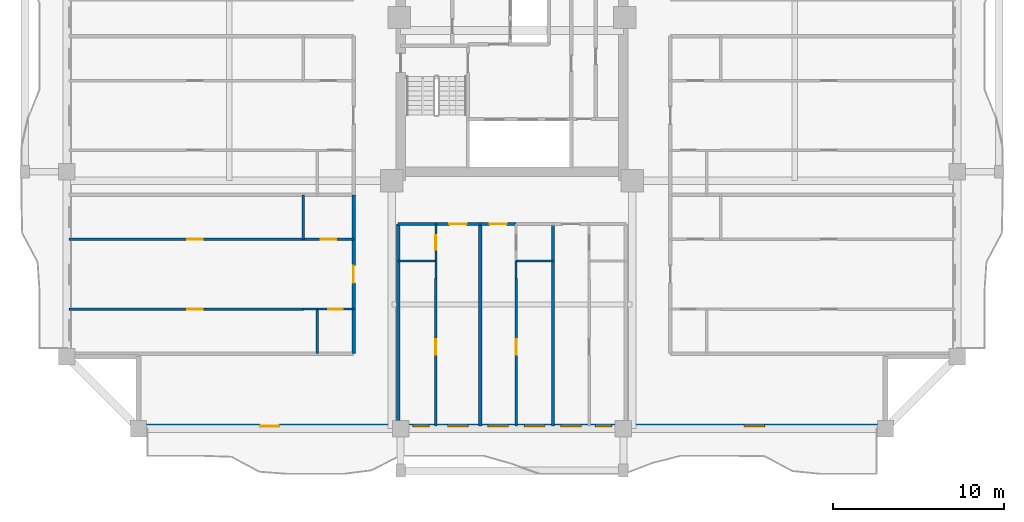
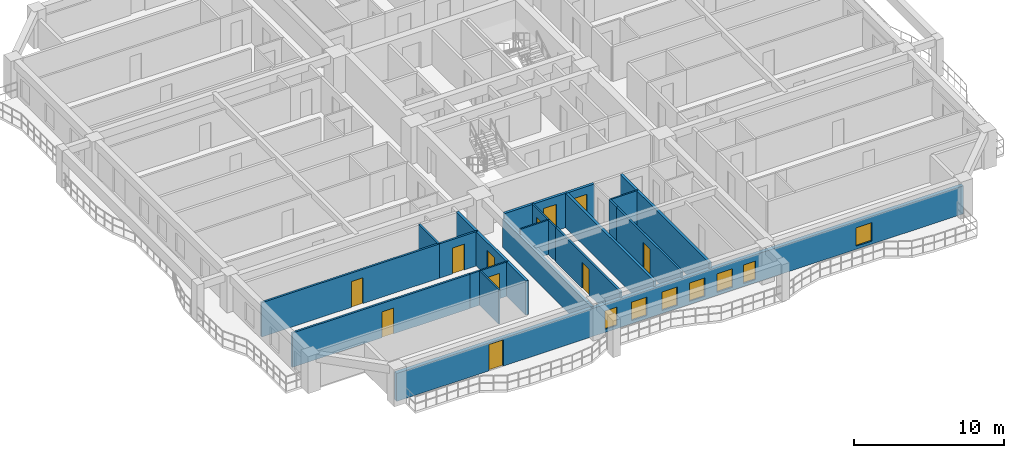
# One storey, part 2 of 13: 24 walls, 11 doors, 7 windows, 18 openings.
"""IFC4 building model written with IfcOpenShell, lengths in metres."""

import ifcopenshell
import ifcopenshell.guid

model = None  # the IFC model being written
_history = None  # IfcOwnerHistory: only IFC2X3 demands one
_inside = {}  # id of a spatial element -> (the spatial element, [elements in it])
_under = {}  # id of a project, library or spatial element -> (it, [spatial elements below it])
_declared = {}  # id of a project -> (the project, [libraries it declares])
_typed = {}  # id of a type object -> (the type object, [elements of that type])
_made_of = {}  # id of a material, layer set ... -> (it, [elements and type objects made of it])


def new_model(schema):
    """Start an empty IFC model of exactly this schema.

    Asked for "IFC4X3", IfcOpenShell would pick the latest addendum, in which some entities
    have other attributes; the version numbers below select the first issue.
    IFC2X3 requires an IfcOwnerHistory on every rooted entity: one is made here for all.
    """
    global model, _history
    if schema == "IFC4X3":
        model = ifcopenshell.file(schema_version=(4, 3, 0, 0))
    else:
        model = ifcopenshell.file(schema=schema)
    _inside.clear()
    _under.clear()
    _declared.clear()
    _typed.clear()
    _made_of.clear()
    _history = None
    if model.schema == "IFC2X3":
        org = make("IfcOrganization", Name="unknown")
        user = make(
            "IfcPersonAndOrganization",
            ThePerson=make("IfcPerson", FamilyName="unknown"),
            TheOrganization=org,
        )
        app = make(
            "IfcApplication",
            ApplicationDeveloper=org,
            Version="unknown",
            ApplicationFullName="unknown",
            ApplicationIdentifier="unknown",
        )
        _history = make(
            "IfcOwnerHistory",
            OwningUser=user,
            OwningApplication=app,
            ChangeAction="ADDED",
            CreationDate=0,
        )
    return model


def make(cls, **values):
    """One entity of the class cls with the attributes given. An attribute that is None is left unset."""
    return model.create_entity(
        cls, **{name: value for name, value in values.items() if value is not None}
    )


def rooted(cls, **values):
    """An entity with a GlobalId (a new one), such as an element, a storey or a relation."""
    return make(cls, GlobalId=ifcopenshell.guid.new(), OwnerHistory=_history, **values)


def si_unit(unit_type, name, prefix=None):
    """IfcSIUnit, for example si_unit("LENGTHUNIT", "METRE", prefix="MILLI")."""
    return make("IfcSIUnit", UnitType=unit_type, Prefix=prefix, Name=name)


def assignment(units):
    """IfcUnitAssignment: the units of a project."""
    return None if units is None else make("IfcUnitAssignment", Units=units)


def point(xyz):
    """IfcCartesianPoint."""
    return None if xyz is None else make("IfcCartesianPoint", Coordinates=xyz)


def direction(xyz):
    """IfcDirection."""
    return None if xyz is None else make("IfcDirection", DirectionRatios=xyz)


def frame(location, z_axis=None, x_axis=None):
    """IfcAxis2Placement3D, a coordinate frame: its origin and axes. An axis left out is left unset."""
    return make(
        "IfcAxis2Placement3D",
        Location=point(location),
        Axis=direction(z_axis),
        RefDirection=direction(x_axis),
    )


def frame_2d(location, x_axis=None):
    """IfcAxis2Placement2D, a coordinate frame in the plane: its origin and x axis."""
    return make(
        "IfcAxis2Placement2D", Location=point(location), RefDirection=direction(x_axis)
    )


def origin():
    """The frame at (0, 0, 0) with its axes left unset."""
    return frame((0.0, 0.0, 0.0))


def place(relative_to, where):
    """IfcLocalPlacement: puts the frame where relative to a parent placement (None: the world)."""
    return make(
        "IfcLocalPlacement", PlacementRelTo=relative_to, RelativePlacement=where
    )


def context(
    kind, dimensions, precision=None, world=None, true_north=None, identifier=None
):
    """IfcGeometricRepresentationContext, for example the 3D "Model" context."""
    return make(
        "IfcGeometricRepresentationContext",
        ContextIdentifier=identifier,
        ContextType=kind,
        CoordinateSpaceDimension=dimensions,
        Precision=precision,
        WorldCoordinateSystem=world,
        TrueNorth=true_north,
    )


def subcontext(parent, identifier, kind, view, scale=None):
    """IfcGeometricRepresentationSubContext, for example "Body" below "Model"."""
    return make(
        "IfcGeometricRepresentationSubContext",
        ContextIdentifier=identifier,
        ContextType=kind,
        ParentContext=parent,
        TargetScale=scale,
        TargetView=view,
    )


def project(units=None, contexts=None):
    """IfcProject with its units and contexts."""
    return rooted(
        "IfcProject",
        Name="project",
        RepresentationContexts=contexts,
        UnitsInContext=assignment(units),
    )


def spatial(cls, under=None, at=None, **own):
    """A site, building, storey or space (cls), placed at a placement, below another one or the project."""
    s = rooted(cls, ObjectPlacement=at, **own)
    if under is not None:
        _under.setdefault(under.id(), (under, []))[1].append(s)
    return s


def profile(cls, at=None, kind="AREA", **sizes):
    """A parametric profile (cls). Its sizes go by their IFC names, for example OverallWidth=200.0."""
    return make(cls, ProfileType=kind, Position=at, **sizes)


def rectangle(**sizes):
    """IfcRectangleProfileDef."""
    return profile("IfcRectangleProfileDef", **sizes)


def extrude(swept, where, along, depth):
    """IfcExtrudedAreaSolid: the profile swept, set in the frame where, extruded along a direction by depth."""
    return make(
        "IfcExtrudedAreaSolid",
        SweptArea=swept,
        Position=where,
        ExtrudedDirection=direction(along),
        Depth=depth,
    )


def shape(context_of_items, identifier, shape_type, items):
    """IfcShapeRepresentation: the items that make up one representation, for example the "Body"."""
    return make(
        "IfcShapeRepresentation",
        ContextOfItems=context_of_items,
        RepresentationIdentifier=identifier,
        RepresentationType=shape_type,
        Items=items,
    )


def source(mapping_origin, context_of_items, identifier, shape_type, items):
    """IfcRepresentationMap: a shape defined once, which mapped items show again and again."""
    return make(
        "IfcRepresentationMap",
        MappingOrigin=mapping_origin,
        MappedRepresentation=shape(context_of_items, identifier, shape_type, items),
    )


def transform(
    local_origin,
    x_axis=None,
    y_axis=None,
    z_axis=None,
    scale=None,
    scale2=None,
    scale3=None,
    uniform=True,
):
    """IfcCartesianTransformationOperator3D, or its non-uniform kind. x_axis, y_axis, z_axis: its Axis1, 2, 3."""
    if uniform:
        return make(
            "IfcCartesianTransformationOperator3D",
            Axis1=direction(x_axis),
            Axis2=direction(y_axis),
            LocalOrigin=point(local_origin),
            Scale=scale,
            Axis3=direction(z_axis),
        )
    return make(
        "IfcCartesianTransformationOperator3DnonUniform",
        Axis1=direction(x_axis),
        Axis2=direction(y_axis),
        LocalOrigin=point(local_origin),
        Scale=scale,
        Axis3=direction(z_axis),
        Scale2=scale2,
        Scale3=scale3,
    )


def mapped(mapping_source, mapping_target):
    """IfcMappedItem: shows the shape of a source again, moved by a transform."""
    return make(
        "IfcMappedItem", MappingSource=mapping_source, MappingTarget=mapping_target
    )


def material(Name=None, Category=None):
    """IfcMaterial."""
    return make("IfcMaterial", Name=Name, Category=Category)


def layer(
    of_material, thickness, ventilated=None, Name=None, Category=None, Priority=None
):
    """IfcMaterialLayer: one layer of a wall or slab, of a material (None: an air gap)."""
    return make(
        "IfcMaterialLayer",
        Material=of_material,
        LayerThickness=thickness,
        IsVentilated=ventilated,
        Name=Name,
        Category=Category,
        Priority=Priority,
    )


def layer_set(layers, Name=None):
    """IfcMaterialLayerSet."""
    return make("IfcMaterialLayerSet", MaterialLayers=layers, LayerSetName=Name)


def made_of(thing, what):
    """Note that an element or type object is made of a material, layer set ...; save() writes the relation."""
    if what is not None:
        _made_of.setdefault(what.id(), (what, []))[1].append(thing)
    return thing


def type_object(cls, material=None, **own):
    """A type object (cls), such as IfcWallType, which elements share."""
    return made_of(rooted(cls, **own), material)


def element(
    cls,
    number,
    at=None,
    inside=None,
    cuts=None,
    type_object=None,
    material=None,
    context=None,
    identifier="Body",
    shape_type=None,
    held_by="IfcProductDefinitionShape",
    body=None,
    shapes=None,
    **own,
):
    """One element of the class cls, such as IfcWall. Its Tag is "e" and its number.

    at: its placement. inside: the storey or other place that contains it. cuts: it is an
    opening in that element (IfcRelVoidsElement). A single representation is given by context,
    identifier, shape_type and body (its items); several are given by shapes. held_by: the class
    of the entity that holds the representations. save() writes the other relations.
    """
    e = rooted(cls, Tag="e%d" % number, ObjectPlacement=at, **own)
    if body is not None:
        shapes = [shape(context, identifier, shape_type, body)]
    if shapes is not None:
        e.Representation = make(held_by, Representations=shapes)
    if inside is not None:
        _inside.setdefault(inside.id(), (inside, []))[1].append(e)
    if cuts is not None:
        rooted(
            "IfcRelVoidsElement", RelatingBuildingElement=cuts, RelatedOpeningElement=e
        )
    if type_object is not None:
        _typed.setdefault(type_object.id(), (type_object, []))[1].append(e)
    return made_of(e, material)


def fill(opening, filler):
    """IfcRelFillsElement: the door or window that sits in an opening."""
    return rooted(
        "IfcRelFillsElement",
        RelatingOpeningElement=opening,
        RelatedBuildingElement=filler,
    )


def aggregate(whole, parts):
    """IfcRelAggregates: a whole, such as a stair, and the parts it consists of."""
    return rooted("IfcRelAggregates", RelatingObject=whole, RelatedObjects=parts)


def save(model, path):
    """Write the relations noted so far, then the file.

    IfcRelAggregates (storeys below a building ...), IfcRelContainedInSpatialStructure (elements
    in a storey), IfcRelDefinesByType, IfcRelAssociatesMaterial and IfcRelDeclares: one each for
    every whole, place, type object, material and project.
    """
    for whole, parts in _under.values():
        aggregate(whole, parts)
    for where, things in _inside.values():
        rooted(
            "IfcRelContainedInSpatialStructure",
            RelatedElements=things,
            RelatingStructure=where,
        )
    for kind, things in _typed.values():
        rooted("IfcRelDefinesByType", RelatedObjects=things, RelatingType=kind)
    for what, things in _made_of.values():
        rooted("IfcRelAssociatesMaterial", RelatedObjects=things, RelatingMaterial=what)
    for by, libraries in _declared.values():
        rooted("IfcRelDeclares", RelatingContext=by, RelatedDefinitions=libraries)
    model.write(path)


model = new_model("IFC4")

# Units and contexts
model_context = context("Model", 3, precision=1e-05, world=origin(), true_north=direction((0.0, 1.0)))
body_context = subcontext(model_context, "Body", "Model", "MODEL_VIEW")
ifc_project = project(units=[si_unit("LENGTHUNIT", "METRE"), si_unit("AREAUNIT", "SQUARE_METRE"), si_unit("VOLUMEUNIT", "CUBIC_METRE"), si_unit("PLANEANGLEUNIT", "RADIAN"), si_unit("MASSUNIT", "GRAM", prefix="KILO")], contexts=[model_context])

# Site, building, storey
site_placement = place(None, origin())
site = spatial("IfcSite", under=ifc_project, at=site_placement, CompositionType="ELEMENT")
building_placement = place(site_placement, origin())
building = spatial("IfcBuilding", under=site, at=building_placement, Name="Saelheon Loggia Tower", CompositionType="ELEMENT")
storey_placement = place(building_placement, frame((0.0, 0.0, 104.85009765625)))
storey = spatial("IfcBuildingStorey", under=building, at=storey_placement, Name="L33", CompositionType="ELEMENT", Elevation=104.85009765625)

# Wall, openings, windows, door
ifc_material_1 = material(Name="Architectural Precast Concrete C40/50", Category="concrete")
ifc_layer_1 = layer(ifc_material_1, 0.280029296875)
ifc_layer_set_1 = layer_set([ifc_layer_1], Name="Architectural Precast Concrete C40/50")
wall_type_1 = type_object("IfcWallType", Name="Wall_Ext_Loggia_280", PredefinedType="SOLIDWALL", material=ifc_layer_set_1)
wall_1_placement = place(storey_placement, frame((16.199951171875, 3.139892578125, 0.0), z_axis=(0.0, 0.0, 1.0), x_axis=(1.0, 0.0, 0.0)))
wall_1 = element("IfcWall", 1, at=wall_1_placement, inside=storey, type_object=wall_type_1, Name="L33 South Loggia Inner Wall", PredefinedType="SOLIDWALL", context=body_context, shape_type="SweptSolid", body=[
    extrude(rectangle(XDim=43.60009765625, YDim=0.280029296875, at=frame_2d((21.800048828125, 0.0))), origin(), (0.0, 0.0, 1.0), 2.27978515625),
])
opening_1_placement = place(wall_1_placement, frame((8.2001953125, 0.0, 0.0), z_axis=(0.0, 0.0, 1.0), x_axis=(-1.0, 0.0, 0.0)))
opening_1 = element("IfcOpeningElement", 2, at=opening_1_placement, cuts=wall_1, Name="Opening TD1", PredefinedType="OPENING", context=body_context, shape_type="SweptSolid", body=[
    extrude(rectangle(XDim=1.10009765625, YDim=2.14990234375, at=frame_2d((0.550048828125, 1.074951171875))), frame((0.0, 0.152099609375, 0.0), z_axis=(0.0, -1.0, 0.0), x_axis=(1.0, 0.0, 0.0)), (0.0, 0.0, 1.0), 0.303955078125),
])
opening_2_placement = place(wall_1_placement, frame((16.0087890625, 0.0, 0.25)))
opening_2 = element("IfcOpeningElement", 3, at=opening_2_placement, cuts=wall_1, Name="Opening WN-04", PredefinedType="OPENING", context=body_context, shape_type="SweptSolid", body=[
    extrude(rectangle(XDim=0.949951171875, YDim=1.5, at=frame_2d((0.47509765625, 0.75))), frame((0.0, 0.152099609375, 0.0), z_axis=(0.0, -1.0, 0.0), x_axis=(1.0, 0.0, 0.0)), (0.0, 0.0, 1.0), 0.303955078125),
])
opening_3_placement = place(wall_1_placement, frame((18.045166015625, 0.0, 0.25)))
opening_3 = element("IfcOpeningElement", 4, at=opening_3_placement, cuts=wall_1, Name="Opening WN-03", PredefinedType="OPENING", context=body_context, shape_type="SweptSolid", body=[
    extrude(rectangle(XDim=1.199951171875, YDim=1.5, at=frame_2d((0.60009765625, 0.75))), frame((0.0, 0.152099609375, 0.0), z_axis=(0.0, -1.0, 0.0), x_axis=(1.0, 0.0, 0.0)), (0.0, 0.0, 1.0), 0.303955078125),
])
opening_4_placement = place(wall_1_placement, frame((20.39111328125, 0.0, 0.25)))
opening_4 = element("IfcOpeningElement", 5, at=opening_4_placement, cuts=wall_1, Name="Opening WN-03", PredefinedType="OPENING", context=body_context, shape_type="SweptSolid", body=[
    extrude(rectangle(XDim=1.199951171875, YDim=1.5, at=frame_2d((0.60009765625, 0.75))), frame((0.0, 0.152099609375, 0.0), z_axis=(0.0, -1.0, 0.0), x_axis=(1.0, 0.0, 0.0)), (0.0, 0.0, 1.0), 0.303955078125),
])
opening_5_placement = place(wall_1_placement, frame((22.51904296875, 0.0, 0.25)))
opening_5 = element("IfcOpeningElement", 6, at=opening_5_placement, cuts=wall_1, Name="Opening WN-03", PredefinedType="OPENING", context=body_context, shape_type="SweptSolid", body=[
    extrude(rectangle(XDim=1.199951171875, YDim=1.5, at=frame_2d((0.60009765625, 0.75))), frame((0.0, 0.152099609375, 0.0), z_axis=(0.0, -1.0, 0.0), x_axis=(1.0, 0.0, 0.0)), (0.0, 0.0, 1.0), 0.303955078125),
])
opening_6_placement = place(wall_1_placement, frame((24.64697265625, 0.0, 0.25)))
opening_6 = element("IfcOpeningElement", 7, at=opening_6_placement, cuts=wall_1, Name="Opening WN-03", PredefinedType="OPENING", context=body_context, shape_type="SweptSolid", body=[
    extrude(rectangle(XDim=1.199951171875, YDim=1.5, at=frame_2d((0.60009765625, 0.75))), frame((0.0, 0.152099609375, 0.0), z_axis=(0.0, -1.0, 0.0), x_axis=(1.0, 0.0, 0.0)), (0.0, 0.0, 1.0), 0.303955078125),
])
opening_7_placement = place(wall_1_placement, frame((26.66748046875, 0.0, 0.25)))
opening_7 = element("IfcOpeningElement", 8, at=opening_7_placement, cuts=wall_1, Name="Opening WN-04", PredefinedType="OPENING", context=body_context, shape_type="SweptSolid", body=[
    extrude(rectangle(XDim=0.949951171875, YDim=1.5, at=frame_2d((0.47509765625, 0.75))), frame((0.0, 0.152099609375, 0.0), z_axis=(0.0, -1.0, 0.0), x_axis=(1.0, 0.0, 0.0)), (0.0, 0.0, 1.0), 0.303955078125),
])
opening_8_placement = place(wall_1_placement, frame((35.35009765625, 0.0, 0.25)))
opening_8 = element("IfcOpeningElement", 9, at=opening_8_placement, cuts=wall_1, Name="Opening WN-03", PredefinedType="OPENING", context=body_context, shape_type="SweptSolid", body=[
    extrude(rectangle(XDim=1.199951171875, YDim=1.5, at=frame_2d((0.60009765625, 0.75))), frame((0.0, 0.152099609375, 0.0), z_axis=(0.0, -1.0, 0.0), x_axis=(1.0, 0.0, 0.0)), (0.0, 0.0, 1.0), 0.303955078125),
])
ifc_material_2 = material(Name="Thermal-Break Aluminium and Triple Low-E Glass", Category="aluminium")
window_type_1 = type_object("IfcWindowType", Name="Win_Bedroom_1200x1500", PartitioningType="SINGLE_PANEL", PredefinedType="WINDOW", material=ifc_material_2)
shared_shape_1 = source(origin(), body_context, "Body", "SweptSolid", [
    extrude(rectangle(XDim=1.199951171875, YDim=1.5, at=frame_2d((0.60009765625, 0.75))), frame((0.0, 0.030029296875, 0.0), z_axis=(0.0, -1.0, 0.0), x_axis=(1.0, 0.0, 0.0)), (0.0, 0.0, 1.0), 0.06005859375),
])
window_1_placement = place(opening_3_placement, origin())
window_1 = element("IfcWindow", 10, at=window_1_placement, inside=storey, type_object=window_type_1, Name="L33 S Dwelling Window 3", OverallHeight=1.5, OverallWidth=1.199951171875, PartitioningType="SINGLE_PANEL", PredefinedType="WINDOW", context=body_context, shape_type="MappedRepresentation", body=[
    mapped(shared_shape_1, transform((0.0, 0.0, 0.0), scale=1.0)),
])
fill(opening_3, window_1)
window_2_placement = place(opening_4_placement, origin())
window_2 = element("IfcWindow", 11, at=window_2_placement, inside=storey, type_object=window_type_1, Name="L33 S Dwelling Window 4", OverallHeight=1.5, OverallWidth=1.199951171875, PartitioningType="SINGLE_PANEL", PredefinedType="WINDOW", context=body_context, shape_type="MappedRepresentation", body=[
    mapped(shared_shape_1, transform((0.0, 0.0, 0.0), scale=1.0)),
])
fill(opening_4, window_2)
window_3_placement = place(opening_5_placement, origin())
window_3 = element("IfcWindow", 12, at=window_3_placement, inside=storey, type_object=window_type_1, Name="L33 S Dwelling Window 5", OverallHeight=1.5, OverallWidth=1.199951171875, PartitioningType="SINGLE_PANEL", PredefinedType="WINDOW", context=body_context, shape_type="MappedRepresentation", body=[
    mapped(shared_shape_1, transform((0.0, 0.0, 0.0), scale=1.0)),
])
fill(opening_5, window_3)
window_4_placement = place(opening_6_placement, origin())
window_4 = element("IfcWindow", 13, at=window_4_placement, inside=storey, type_object=window_type_1, Name="L33 S Dwelling Window 6", OverallHeight=1.5, OverallWidth=1.199951171875, PartitioningType="SINGLE_PANEL", PredefinedType="WINDOW", context=body_context, shape_type="MappedRepresentation", body=[
    mapped(shared_shape_1, transform((0.0, 0.0, 0.0), scale=1.0)),
])
fill(opening_6, window_4)
window_5_placement = place(opening_8_placement, origin())
window_5 = element("IfcWindow", 14, at=window_5_placement, inside=storey, type_object=window_type_1, Name="L33 S Dwelling Window 8", OverallHeight=1.5, OverallWidth=1.199951171875, PartitioningType="SINGLE_PANEL", PredefinedType="WINDOW", context=body_context, shape_type="MappedRepresentation", body=[
    mapped(shared_shape_1, transform((0.0, 0.0, 0.0), scale=1.0)),
])
fill(opening_8, window_5)
ifc_material_3 = material(Name="Thermal-Break Aluminium Glazed Door", Category="aluminium")
door_type_1 = type_object("IfcDoorType", Name="Door_Terrace_TD1", OperationType="NOTDEFINED", PredefinedType="DOOR", material=ifc_material_3)
shared_shape_2 = source(origin(), body_context, "Body", "SweptSolid", [
    extrude(rectangle(XDim=1.10009765625, YDim=2.14990234375, at=frame_2d((0.550048828125, 1.074951171875))), frame((0.0, 0.02490234375, 0.0), z_axis=(0.0, -1.0, 0.0), x_axis=(1.0, 0.0, 0.0)), (0.0, 0.0, 1.0), 0.050048828125),
])
door_1_placement = place(opening_1_placement, origin())
door_1 = element("IfcDoor", 15, at=door_1_placement, inside=storey, type_object=door_type_1, Name="L33 S Loggia Access Door", OperationType="SINGLE_SWING_LEFT", OverallHeight=2.14990234375, OverallWidth=1.10009765625, PredefinedType="DOOR", context=body_context, shape_type="MappedRepresentation", body=[
    mapped(shared_shape_2, transform((0.0, 0.0, 0.0), scale=1.0)),
])
fill(opening_1, door_1)
window_type_2 = type_object("IfcWindowType", Name="Win_Narrow_950x1500", PartitioningType="SINGLE_PANEL", PredefinedType="WINDOW", material=ifc_material_2)
shared_shape_3 = source(origin(), body_context, "Body", "SweptSolid", [
    extrude(rectangle(XDim=0.949951171875, YDim=1.5, at=frame_2d((0.47509765625, 0.75))), frame((0.0, 0.030029296875, 0.0), z_axis=(0.0, -1.0, 0.0), x_axis=(1.0, 0.0, 0.0)), (0.0, 0.0, 1.0), 0.06005859375),
])
window_6_placement = place(opening_2_placement, origin())
window_6 = element("IfcWindow", 16, at=window_6_placement, inside=storey, type_object=window_type_2, Name="L33 S Dwelling Window 2", OverallHeight=1.5, OverallWidth=0.949951171875, PartitioningType="SINGLE_PANEL", PredefinedType="WINDOW", context=body_context, shape_type="MappedRepresentation", body=[
    mapped(shared_shape_3, transform((0.0, 0.0, 0.0), scale=1.0)),
])
fill(opening_2, window_6)
window_7_placement = place(opening_7_placement, origin())
window_7 = element("IfcWindow", 17, at=window_7_placement, inside=storey, type_object=window_type_2, Name="L33 S Dwelling Window 7", OverallHeight=1.5, OverallWidth=0.949951171875, PartitioningType="SINGLE_PANEL", PredefinedType="WINDOW", context=body_context, shape_type="MappedRepresentation", body=[
    mapped(shared_shape_3, transform((0.0, 0.0, 0.0), scale=1.0)),
])
fill(opening_7, window_7)

# Wall, opening, door
ifc_material_4 = material(Name="Lightweight Autoclaved Aerated Concrete Block and Acoustic Gypsum", Category="concrete")
ifc_layer_2 = layer(ifc_material_4, 0.14990234375)
ifc_layer_set_2 = layer_set([ifc_layer_2], Name="Lightweight Autoclaved Aerated Concrete Block and Acoustic Gypsum")
wall_type_2 = type_object("IfcWallType", Name="Wall_Part_150", PredefinedType="PARTITIONING", material=ifc_layer_set_2)
wall_2_placement = place(storey_placement, frame((33.552490234375, 11.780029296875, 0.0), z_axis=(0.0, 0.0, 1.0), x_axis=(0.0, -1.0, 0.0)))
wall_2 = element("IfcWall", 18, at=wall_2_placement, inside=storey, type_object=wall_type_2, Name="L33 S Partition U08", PredefinedType="PARTITIONING", context=body_context, shape_type="SweptSolid", body=[
    extrude(rectangle(XDim=8.630126953125, YDim=0.14990234375, at=frame_2d((4.31494140625, 0.0))), origin(), (0.0, 0.0, 1.0), 2.789794921875),
])
opening_9_placement = place(wall_2_placement, frame((3.56298828125, 0.0, 0.0)))
opening_9 = element("IfcOpeningElement", 19, at=opening_9_placement, cuts=wall_2, Name="Opening D-IN2", PredefinedType="OPENING", context=body_context, shape_type="SweptSolid", body=[
    extrude(rectangle(XDim=0.89990234375, YDim=2.10009765625, at=frame_2d((0.449951171875, 1.050048828125))), frame((0.0, 0.0869140625, 0.0), z_axis=(0.0, -1.0, 0.0), x_axis=(1.0, 0.0, 0.0)), (0.0, 0.0, 1.0), 0.173828125),
])
ifc_material_5 = material(Name="Engineered Oak Flush Door", Category="timber")
door_type_2 = type_object("IfcDoorType", Name="Door_Int_900", OperationType="NOTDEFINED", PredefinedType="DOOR", material=ifc_material_5)
shared_shape_4 = source(origin(), body_context, "Body", "SweptSolid", [
    extrude(rectangle(XDim=0.89990234375, YDim=2.10009765625, at=frame_2d((0.449951171875, 1.050048828125))), frame((0.0, 0.02490234375, 0.0), z_axis=(0.0, -1.0, 0.0), x_axis=(1.0, 0.0, 0.0)), (0.0, 0.0, 1.0), 0.050048828125),
])
door_2_placement = place(opening_9_placement, origin())
door_2 = element("IfcDoor", 20, at=door_2_placement, inside=storey, type_object=door_type_2, Name="Unit U01 Kitchen Door", OperationType="SINGLE_SWING_RIGHT", OverallHeight=2.10009765625, OverallWidth=0.89990234375, PredefinedType="DOOR", context=body_context, shape_type="MappedRepresentation", body=[
    mapped(shared_shape_4, transform((0.0, 0.0, 0.0), scale=1.0)),
])
fill(opening_9, door_2)

wall_3_placement = place(storey_placement, frame((38.243896484375, 11.780029296875, 0.0), z_axis=(0.0, 0.0, 1.0), x_axis=(0.0, -1.0, 0.0)))
wall_3 = element("IfcWall", 21, at=wall_3_placement, inside=storey, type_object=wall_type_2, Name="L33 S Partition U15", PredefinedType="PARTITIONING", context=body_context, shape_type="SweptSolid", body=[
    extrude(rectangle(XDim=8.630126953125, YDim=0.14990234375, at=frame_2d((4.31494140625, 0.0))), origin(), (0.0, 0.0, 1.0), 2.789794921875),
])
opening_10_placement = place(wall_3_placement, frame((3.56298828125, 0.0, 0.0)))
opening_10 = element("IfcOpeningElement", 22, at=opening_10_placement, cuts=wall_3, Name="Opening D-IN2", PredefinedType="OPENING", context=body_context, shape_type="SweptSolid", body=[
    extrude(rectangle(XDim=0.89990234375, YDim=2.10009765625, at=frame_2d((0.449951171875, 1.050048828125))), frame((0.0, 0.0869140625, 0.0), z_axis=(0.0, -1.0, 0.0), x_axis=(1.0, 0.0, 0.0)), (0.0, 0.0, 1.0), 0.173828125),
])
door_3_placement = place(opening_10_placement, origin())
door_3 = element("IfcDoor", 23, at=door_3_placement, inside=storey, type_object=door_type_2, Name="Unit U02 Kitchen Door", OperationType="SINGLE_SWING_LEFT", OverallHeight=2.10009765625, OverallWidth=0.89990234375, PredefinedType="DOOR", context=body_context, shape_type="MappedRepresentation", body=[
    mapped(shared_shape_4, transform((0.0, 0.0, 0.0), scale=1.0)),
])
fill(opening_10, door_3)

# Wall
wall_4_placement = place(storey_placement, frame((25.820068359375, 14.050048828125, 0.0), z_axis=(0.0, 0.0, 1.0), x_axis=(0.0, 1.0, 0.0)))
element("IfcWall", 24, at=wall_4_placement, inside=storey, type_object=wall_type_2, Name="L33 WS Partition V07", PredefinedType="PARTITIONING", context=body_context, shape_type="SweptSolid", body=[
    extrude(rectangle(XDim=2.599853515625, YDim=0.14990234375, at=frame_2d((1.2998046875, 0.0))), origin(), (0.0, 0.0, 1.0), 2.789794921875),
])

# Wall, opening, door
wall_5_placement = place(storey_placement, frame((25.820068359375, 9.9755859375, 0.0), z_axis=(0.0, 0.0, 1.0), x_axis=(-1.0, 0.0, 0.0)))
wall_5 = element("IfcWall", 25, at=wall_5_placement, inside=storey, type_object=wall_type_2, Name="L33 WS Partition U10", PredefinedType="PARTITIONING", context=body_context, shape_type="SweptSolid", body=[
    extrude(rectangle(XDim=13.670166015625, YDim=0.14990234375, at=frame_2d((6.8349609375, 0.0))), origin(), (0.0, 0.0, 1.0), 2.789794921875),
])
opening_11_placement = place(wall_5_placement, frame((5.872802734375, 0.0, 0.0)))
opening_11 = element("IfcOpeningElement", 26, at=opening_11_placement, cuts=wall_5, Name="Opening D-IN2", PredefinedType="OPENING", context=body_context, shape_type="SweptSolid", body=[
    extrude(rectangle(XDim=0.89990234375, YDim=2.10009765625, at=frame_2d((0.449951171875, 1.050048828125))), frame((0.0, 0.0869140625, 0.0), z_axis=(0.0, -1.0, 0.0), x_axis=(1.0, 0.0, 0.0)), (0.0, 0.0, 1.0), 0.173828125),
])
door_4_placement = place(opening_11_placement, origin())
door_4 = element("IfcDoor", 27, at=door_4_placement, inside=storey, type_object=door_type_2, Name="Unit U06 Kitchen Door", OperationType="SINGLE_SWING_RIGHT", OverallHeight=2.10009765625, OverallWidth=0.89990234375, PredefinedType="DOOR", context=body_context, shape_type="MappedRepresentation", body=[
    mapped(shared_shape_4, transform((0.0, 0.0, 0.0), scale=1.0)),
])
fill(opening_11, door_4)

wall_6_placement = place(storey_placement, frame((28.75, 14.050048828125, 0.0), z_axis=(0.0, 0.0, 1.0), x_axis=(-1.0, 0.0, 0.0)))
wall_6 = element("IfcWall", 28, at=wall_6_placement, inside=storey, type_object=wall_type_2, Name="L33 WS Partition U11", PredefinedType="PARTITIONING", context=body_context, shape_type="SweptSolid", body=[
    extrude(rectangle(XDim=2.929931640625, YDim=0.14990234375, at=frame_2d((1.46484375, 0.0))), origin(), (0.0, 0.0, 1.0), 2.789794921875),
])
opening_12_placement = place(wall_6_placement, frame((1.014892578125, 0.0, 0.0)))
opening_12 = element("IfcOpeningElement", 29, at=opening_12_placement, cuts=wall_6, Name="Opening D-IN2", PredefinedType="OPENING", context=body_context, shape_type="SweptSolid", body=[
    extrude(rectangle(XDim=0.89990234375, YDim=2.10009765625, at=frame_2d((0.449951171875, 1.050048828125))), frame((0.0, 0.0869140625, 0.0), z_axis=(0.0, -1.0, 0.0), x_axis=(1.0, 0.0, 0.0)), (0.0, 0.0, 1.0), 0.173828125),
])
door_5_placement = place(opening_12_placement, origin())
door_5 = element("IfcDoor", 30, at=door_5_placement, inside=storey, type_object=door_type_2, Name="Unit U06 Dressing Closet Door", OperationType="SINGLE_SWING_LEFT", OverallHeight=2.10009765625, OverallWidth=0.89990234375, PredefinedType="DOOR", context=body_context, shape_type="MappedRepresentation", body=[
    mapped(shared_shape_4, transform((0.0, 0.0, 0.0), scale=1.0)),
])
fill(opening_12, door_5)

wall_7_placement = place(storey_placement, frame((25.820068359375, 14.050048828125, 0.0), z_axis=(0.0, 0.0, 1.0), x_axis=(-1.0, 0.0, 0.0)))
wall_7 = element("IfcWall", 31, at=wall_7_placement, inside=storey, type_object=wall_type_2, Name="L33 WS Partition U12", PredefinedType="PARTITIONING", context=body_context, shape_type="SweptSolid", body=[
    extrude(rectangle(XDim=13.670166015625, YDim=0.14990234375, at=frame_2d((6.8349609375, 0.0))), origin(), (0.0, 0.0, 1.0), 2.789794921875),
])
opening_13_placement = place(wall_7_placement, frame((5.872802734375, 0.0, 0.0)))
opening_13 = element("IfcOpeningElement", 32, at=opening_13_placement, cuts=wall_7, Name="Opening D-IN2", PredefinedType="OPENING", context=body_context, shape_type="SweptSolid", body=[
    extrude(rectangle(XDim=0.89990234375, YDim=2.10009765625, at=frame_2d((0.449951171875, 1.050048828125))), frame((0.0, 0.0869140625, 0.0), z_axis=(0.0, -1.0, 0.0), x_axis=(1.0, 0.0, 0.0)), (0.0, 0.0, 1.0), 0.173828125),
])
door_6_placement = place(opening_13_placement, origin())
door_6 = element("IfcDoor", 33, at=door_6_placement, inside=storey, type_object=door_type_2, Name="Unit U06 Bedroom 1 Door", OperationType="SINGLE_SWING_RIGHT", OverallHeight=2.10009765625, OverallWidth=0.89990234375, PredefinedType="DOOR", context=body_context, shape_type="MappedRepresentation", body=[
    mapped(shared_shape_4, transform((0.0, 0.0, 0.0), scale=1.0)),
])
fill(opening_13, door_6)

# Walls
ifc_material_6 = material(Name="Double Acoustic Stud and Fireboard Partition", Category="gypsum")
ifc_layer_3 = layer(ifc_material_6, 0.199951171875)
ifc_layer_set_3 = layer_set([ifc_layer_3], Name="Double Acoustic Stud and Fireboard Partition")
wall_type_3 = type_object("IfcWallType", Name="Wall_Party_200", PredefinedType="PARTITIONING", material=ifc_layer_set_3)
wall_8_placement = place(storey_placement, frame((31.35009765625, 14.949951171875, 0.0), z_axis=(0.0, 0.0, 1.0), x_axis=(0.0, -1.0, 0.0)))
element("IfcWall", 34, at=wall_8_placement, inside=storey, type_object=wall_type_3, Name="L33 S Partition U01", PredefinedType="PARTITIONING", context=body_context, shape_type="SweptSolid", body=[
    extrude(rectangle(XDim=11.800048828125, YDim=0.199951171875, at=frame_2d((5.89990234375, 0.0))), origin(), (0.0, 0.0, 1.0), 2.33984375),
])
wall_9_placement = place(storey_placement, frame((31.35009765625, 14.949951171875, 0.0), z_axis=(0.0, 0.0, 1.0), x_axis=(1.0, 0.0, 0.0)))
element("IfcWall", 35, at=wall_9_placement, inside=storey, type_object=wall_type_3, Name="L33 S Partition V03", PredefinedType="PARTITIONING", context=body_context, shape_type="SweptSolid", body=[
    extrude(rectangle(XDim=2.202392578125, YDim=0.199951171875, at=frame_2d((1.10107421875, 0.0))), origin(), (0.0, 0.0, 1.0), 2.789794921875),
])

# Wall, opening, door
wall_10_placement = place(storey_placement, frame((33.552490234375, 14.949951171875, 0.0), z_axis=(0.0, 0.0, 1.0), x_axis=(1.0, 0.0, 0.0)))
wall_10 = element("IfcWall", 36, at=wall_10_placement, inside=storey, type_object=wall_type_3, Name="L33 S Partition V04", PredefinedType="PARTITIONING", context=body_context, shape_type="SweptSolid", body=[
    extrude(rectangle(XDim=2.58544921875, YDim=0.199951171875, at=frame_2d((1.292724609375, 0.0))), origin(), (0.0, 0.0, 1.0), 2.789794921875),
])
opening_14_placement = place(wall_10_placement, frame((0.792724609375, 0.0, 0.0)))
opening_14 = element("IfcOpeningElement", 37, at=opening_14_placement, cuts=wall_10, Name="Opening D-FD1", PredefinedType="OPENING", context=body_context, shape_type="SweptSolid", body=[
    extrude(rectangle(XDim=1.0, YDim=2.14990234375, at=frame_2d((0.5, 1.074951171875))), frame((0.0, 0.112060546875, 0.0), z_axis=(0.0, -1.0, 0.0), x_axis=(1.0, 0.0, 0.0)), (0.0, 0.0, 1.0), 0.223876953125),
])
ifc_material_7 = material(Name="Fire-Rated Engineered Timber Entrance Door", Category="wood")
door_type_3 = type_object("IfcDoorType", Name="Door_Flat_FD30S", OperationType="NOTDEFINED", PredefinedType="DOOR", material=ifc_material_7)
shared_shape_5 = source(origin(), body_context, "Body", "SweptSolid", [
    extrude(rectangle(XDim=1.0, YDim=2.14990234375, at=frame_2d((0.5, 1.074951171875))), frame((0.0, 0.02490234375, 0.0), z_axis=(0.0, -1.0, 0.0), x_axis=(1.0, 0.0, 0.0)), (0.0, 0.0, 1.0), 0.050048828125),
])
door_7_placement = place(opening_14_placement, origin())
door_7 = element("IfcDoor", 38, at=door_7_placement, inside=storey, type_object=door_type_3, Name="Unit U01 Entrance Door", OperationType="SINGLE_SWING_RIGHT", OverallHeight=2.14990234375, OverallWidth=1.0, PredefinedType="DOOR", context=body_context, shape_type="MappedRepresentation", body=[
    mapped(shared_shape_5, transform((0.0, 0.0, 0.0), scale=1.0)),
])
fill(opening_14, door_7)

# Wall
wall_11_placement = place(storey_placement, frame((36.137939453125, 14.949951171875, 0.0), z_axis=(0.0, 0.0, 1.0), x_axis=(0.0, -1.0, 0.0)))
element("IfcWall", 39, at=wall_11_placement, inside=storey, type_object=wall_type_3, Name="L33 S Partition U09", PredefinedType="PARTITIONING", context=body_context, shape_type="SweptSolid", body=[
    extrude(rectangle(XDim=11.800048828125, YDim=0.199951171875, at=frame_2d((5.89990234375, 0.0))), origin(), (0.0, 0.0, 1.0), 2.789794921875),
])

# Wall, opening, door
wall_12_placement = place(storey_placement, frame((36.137939453125, 14.949951171875, 0.0), z_axis=(0.0, 0.0, 1.0), x_axis=(1.0, 0.0, 0.0)))
wall_12 = element("IfcWall", 40, at=wall_12_placement, inside=storey, type_object=wall_type_3, Name="L33 S Partition V10", PredefinedType="PARTITIONING", context=body_context, shape_type="SweptSolid", body=[
    extrude(rectangle(XDim=2.10595703125, YDim=0.199951171875, at=frame_2d((1.052978515625, 0.0))), origin(), (0.0, 0.0, 1.0), 2.789794921875),
])
opening_15_placement = place(wall_12_placement, frame((0.552978515625, 0.0, 0.0)))
opening_15 = element("IfcOpeningElement", 41, at=opening_15_placement, cuts=wall_12, Name="Opening D-FD1", PredefinedType="OPENING", context=body_context, shape_type="SweptSolid", body=[
    extrude(rectangle(XDim=1.0, YDim=2.14990234375, at=frame_2d((0.5, 1.074951171875))), frame((0.0, 0.112060546875, 0.0), z_axis=(0.0, -1.0, 0.0), x_axis=(1.0, 0.0, 0.0)), (0.0, 0.0, 1.0), 0.223876953125),
])
door_8_placement = place(opening_15_placement, origin())
door_8 = element("IfcDoor", 42, at=door_8_placement, inside=storey, type_object=door_type_3, Name="Unit U02 Entrance Door", OperationType="SINGLE_SWING_LEFT", OverallHeight=2.14990234375, OverallWidth=1.0, PredefinedType="DOOR", context=body_context, shape_type="MappedRepresentation", body=[
    mapped(shared_shape_5, transform((0.0, 0.0, 0.0), scale=1.0)),
])
fill(opening_15, door_8)

# Walls
wall_13_placement = place(storey_placement, frame((40.39404296875, 14.949951171875, 0.0), z_axis=(0.0, 0.0, 1.0), x_axis=(0.0, -1.0, 0.0)))
element("IfcWall", 43, at=wall_13_placement, inside=storey, type_object=wall_type_3, Name="L33 S Partition U16", PredefinedType="PARTITIONING", context=body_context, shape_type="SweptSolid", body=[
    extrude(rectangle(XDim=11.800048828125, YDim=0.199951171875, at=frame_2d((5.89990234375, 0.0))), origin(), (0.0, 0.0, 1.0), 2.789794921875),
])
wall_14_placement = place(storey_placement, frame((28.75, 7.3798828125, 0.0), z_axis=(0.0, 0.0, 1.0), x_axis=(0.0, 1.0, 0.0)))
element("IfcWall", 44, at=wall_14_placement, inside=storey, type_object=wall_type_3, Name="L33 WS Partition V03", PredefinedType="PARTITIONING", context=body_context, shape_type="SweptSolid", body=[
    extrude(rectangle(XDim=2.595703125, YDim=0.199951171875, at=frame_2d((1.2978515625, 0.0))), origin(), (0.0, 0.0, 1.0), 2.789794921875),
])

# Wall, opening, door
wall_15_placement = place(storey_placement, frame((28.75, 9.9755859375, 0.0), z_axis=(0.0, 0.0, 1.0), x_axis=(0.0, 1.0, 0.0)))
wall_15 = element("IfcWall", 45, at=wall_15_placement, inside=storey, type_object=wall_type_3, Name="L33 WS Partition V04", PredefinedType="PARTITIONING", context=body_context, shape_type="SweptSolid", body=[
    extrude(rectangle(XDim=4.074462890625, YDim=0.199951171875, at=frame_2d((2.037109375, 0.0))), origin(), (0.0, 0.0, 1.0), 2.789794921875),
])
opening_16_placement = place(wall_15_placement, frame((1.537109375, 0.0, 0.0)))
opening_16 = element("IfcOpeningElement", 46, at=opening_16_placement, cuts=wall_15, Name="Opening D-FD1", PredefinedType="OPENING", context=body_context, shape_type="SweptSolid", body=[
    extrude(rectangle(XDim=1.0, YDim=2.14990234375, at=frame_2d((0.5, 1.074951171875))), frame((0.0, 0.112060546875, 0.0), z_axis=(0.0, -1.0, 0.0), x_axis=(1.0, 0.0, 0.0)), (0.0, 0.0, 1.0), 0.223876953125),
])
door_9_placement = place(opening_16_placement, origin())
door_9 = element("IfcDoor", 47, at=door_9_placement, inside=storey, type_object=door_type_3, Name="Unit U06 Entrance Door", OperationType="SINGLE_SWING_RIGHT", OverallHeight=2.14990234375, OverallWidth=1.0, PredefinedType="DOOR", context=body_context, shape_type="MappedRepresentation", body=[
    mapped(shared_shape_5, transform((0.0, 0.0, 0.0), scale=1.0)),
])
fill(opening_16, door_9)

# Wall
wall_16_placement = place(storey_placement, frame((28.75, 14.050048828125, 0.0), z_axis=(0.0, 0.0, 1.0), x_axis=(0.0, 1.0, 0.0)))
element("IfcWall", 48, at=wall_16_placement, inside=storey, type_object=wall_type_3, Name="L33 WS Partition V05", PredefinedType="PARTITIONING", context=body_context, shape_type="SweptSolid", body=[
    extrude(rectangle(XDim=2.599853515625, YDim=0.199951171875, at=frame_2d((1.2998046875, 0.0))), origin(), (0.0, 0.0, 1.0), 2.789794921875),
])

# Wall, opening, door
ifc_material_8 = material(Name="Moisture-Resistant Cement Board Partition", Category="gypsum")
ifc_layer_4 = layer(ifc_material_8, 0.1201171875)
ifc_layer_set_4 = layer_set([ifc_layer_4], Name="Moisture-Resistant Cement Board Partition")
wall_type_4 = type_object("IfcWallType", Name="Wall_WetPart_120", PredefinedType="PARTITIONING", material=ifc_layer_set_4)
wall_17_placement = place(storey_placement, frame((33.552490234375, 14.949951171875, 0.0), z_axis=(0.0, 0.0, 1.0), x_axis=(0.0, -1.0, 0.0)))
wall_17 = element("IfcWall", 49, at=wall_17_placement, inside=storey, type_object=wall_type_4, Name="L33 S Partition U05", PredefinedType="PARTITIONING", context=body_context, shape_type="SweptSolid", body=[
    extrude(rectangle(XDim=2.14990234375, YDim=0.1201171875, at=frame_2d((1.074951171875, 0.0))), origin(), (0.0, 0.0, 1.0), 2.789794921875),
])
opening_17_placement = place(wall_17_placement, frame((0.64990234375, 0.0, 0.0)))
opening_17 = element("IfcOpeningElement", 50, at=opening_17_placement, cuts=wall_17, Name="Opening D-BT1", PredefinedType="OPENING", context=body_context, shape_type="SweptSolid", body=[
    extrude(rectangle(XDim=0.85009765625, YDim=2.050048828125, at=frame_2d((0.425048828125, 1.02490234375))), frame((0.0, 0.072021484375, 0.0), z_axis=(0.0, -1.0, 0.0), x_axis=(1.0, 0.0, 0.0)), (0.0, 0.0, 1.0), 0.14404296875),
])
ifc_material_9 = material(Name="Moisture-Resistant Laminate Timber Door", Category="wood")
door_type_4 = type_object("IfcDoorType", Name="Door_Bath_850", OperationType="NOTDEFINED", PredefinedType="DOOR", material=ifc_material_9)
shared_shape_6 = source(origin(), body_context, "Body", "SweptSolid", [
    extrude(rectangle(XDim=0.85009765625, YDim=2.050048828125, at=frame_2d((0.425048828125, 1.02490234375))), frame((0.0, 0.02490234375, 0.0), z_axis=(0.0, -1.0, 0.0), x_axis=(1.0, 0.0, 0.0)), (0.0, 0.0, 1.0), 0.050048828125),
])
door_10_placement = place(opening_17_placement, origin())
door_10 = element("IfcDoor", 51, at=door_10_placement, inside=storey, type_object=door_type_4, Name="Unit U01 Bathroom Door", OperationType="SINGLE_SWING_LEFT", OverallHeight=2.050048828125, OverallWidth=0.85009765625, PredefinedType="DOOR", context=body_context, shape_type="MappedRepresentation", body=[
    mapped(shared_shape_6, transform((0.0, 0.0, 0.0), scale=1.0)),
])
fill(opening_17, door_10)

# Walls
wall_18_placement = place(storey_placement, frame((33.552490234375, 12.800048828125, 0.0), z_axis=(0.0, 0.0, 1.0), x_axis=(0.0, -1.0, 0.0)))
element("IfcWall", 52, at=wall_18_placement, inside=storey, type_object=wall_type_4, Name="L33 S Partition U06", PredefinedType="PARTITIONING", context=body_context, shape_type="SweptSolid", body=[
    extrude(rectangle(XDim=1.02001953125, YDim=0.1201171875, at=frame_2d((0.510009765625, 0.0))), origin(), (0.0, 0.0, 1.0), 2.789794921875),
])
wall_19_placement = place(storey_placement, frame((31.35009765625, 12.800048828125, 0.0), z_axis=(0.0, 0.0, 1.0), x_axis=(1.0, 0.0, 0.0)))
element("IfcWall", 53, at=wall_19_placement, inside=storey, type_object=wall_type_4, Name="L33 S Partition V07", PredefinedType="PARTITIONING", context=body_context, shape_type="SweptSolid", body=[
    extrude(rectangle(XDim=2.202392578125, YDim=0.1201171875, at=frame_2d((1.10107421875, 0.0))), origin(), (0.0, 0.0, 1.0), 2.789794921875),
])
wall_20_placement = place(storey_placement, frame((38.243896484375, 12.800048828125, 0.0), z_axis=(0.0, 0.0, 1.0), x_axis=(0.0, -1.0, 0.0)))
element("IfcWall", 54, at=wall_20_placement, inside=storey, type_object=wall_type_4, Name="L33 S Partition U13", PredefinedType="PARTITIONING", context=body_context, shape_type="SweptSolid", body=[
    extrude(rectangle(XDim=1.02001953125, YDim=0.1201171875, at=frame_2d((0.510009765625, 0.0))), origin(), (0.0, 0.0, 1.0), 2.789794921875),
])
wall_21_placement = place(storey_placement, frame((38.243896484375, 12.800048828125, 0.0), z_axis=(0.0, 0.0, 1.0), x_axis=(1.0, 0.0, 0.0)))
element("IfcWall", 55, at=wall_21_placement, inside=storey, type_object=wall_type_4, Name="L33 S Partition V14", PredefinedType="PARTITIONING", context=body_context, shape_type="SweptSolid", body=[
    extrude(rectangle(XDim=2.150146484375, YDim=0.1201171875, at=frame_2d((1.0751953125, 0.0))), origin(), (0.0, 0.0, 1.0), 2.789794921875),
])
wall_22_placement = place(storey_placement, frame((26.6298828125, 7.3798828125, 0.0), z_axis=(0.0, 0.0, 1.0), x_axis=(0.0, 1.0, 0.0)))
element("IfcWall", 56, at=wall_22_placement, inside=storey, type_object=wall_type_4, Name="L33 WS Partition V06", PredefinedType="PARTITIONING", context=body_context, shape_type="SweptSolid", body=[
    extrude(rectangle(XDim=2.595703125, YDim=0.1201171875, at=frame_2d((1.2978515625, 0.0))), origin(), (0.0, 0.0, 1.0), 2.789794921875),
])

# Wall, opening, door
wall_23_placement = place(storey_placement, frame((28.75, 9.9755859375, 0.0), z_axis=(0.0, 0.0, 1.0), x_axis=(-1.0, 0.0, 0.0)))
wall_23 = element("IfcWall", 57, at=wall_23_placement, inside=storey, type_object=wall_type_4, Name="L33 WS Partition U08", PredefinedType="PARTITIONING", context=body_context, shape_type="SweptSolid", body=[
    extrude(rectangle(XDim=2.1201171875, YDim=0.1201171875, at=frame_2d((1.06005859375, 0.0))), origin(), (0.0, 0.0, 1.0), 2.789794921875),
])
opening_18_placement = place(wall_23_placement, frame((0.635009765625, 0.0, 0.0)))
opening_18 = element("IfcOpeningElement", 58, at=opening_18_placement, cuts=wall_23, Name="Opening D-BT1", PredefinedType="OPENING", context=body_context, shape_type="SweptSolid", body=[
    extrude(rectangle(XDim=0.85009765625, YDim=2.050048828125, at=frame_2d((0.425048828125, 1.02490234375))), frame((0.0, 0.072021484375, 0.0), z_axis=(0.0, -1.0, 0.0), x_axis=(1.0, 0.0, 0.0)), (0.0, 0.0, 1.0), 0.14404296875),
])
door_11_placement = place(opening_18_placement, origin())
door_11 = element("IfcDoor", 59, at=door_11_placement, inside=storey, type_object=door_type_4, Name="Unit U06 Bathroom Door", OperationType="SINGLE_SWING_LEFT", OverallHeight=2.050048828125, OverallWidth=0.85009765625, PredefinedType="DOOR", context=body_context, shape_type="MappedRepresentation", body=[
    mapped(shared_shape_6, transform((0.0, 0.0, 0.0), scale=1.0)),
])
fill(opening_18, door_11)

# Wall
wall_24_placement = place(storey_placement, frame((26.6298828125, 9.9755859375, 0.0), z_axis=(0.0, 0.0, 1.0), x_axis=(-1.0, 0.0, 0.0)))
element("IfcWall", 60, at=wall_24_placement, inside=storey, type_object=wall_type_4, Name="L33 WS Partition U09", PredefinedType="PARTITIONING", context=body_context, shape_type="SweptSolid", body=[
    extrude(rectangle(XDim=0.809814453125, YDim=0.1201171875, at=frame_2d((0.40478515625, 0.0))), origin(), (0.0, 0.0, 1.0), 2.789794921875),
])

save(model, "model.ifc")
